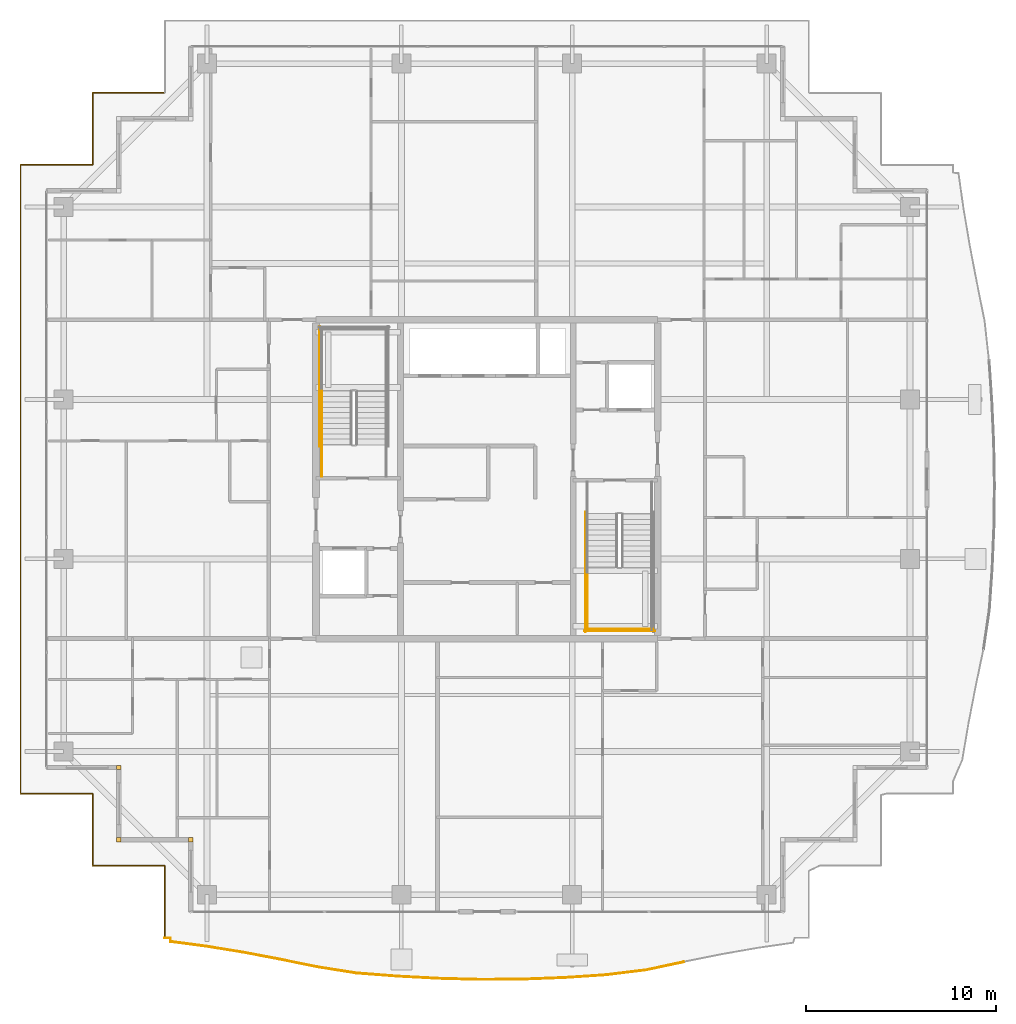
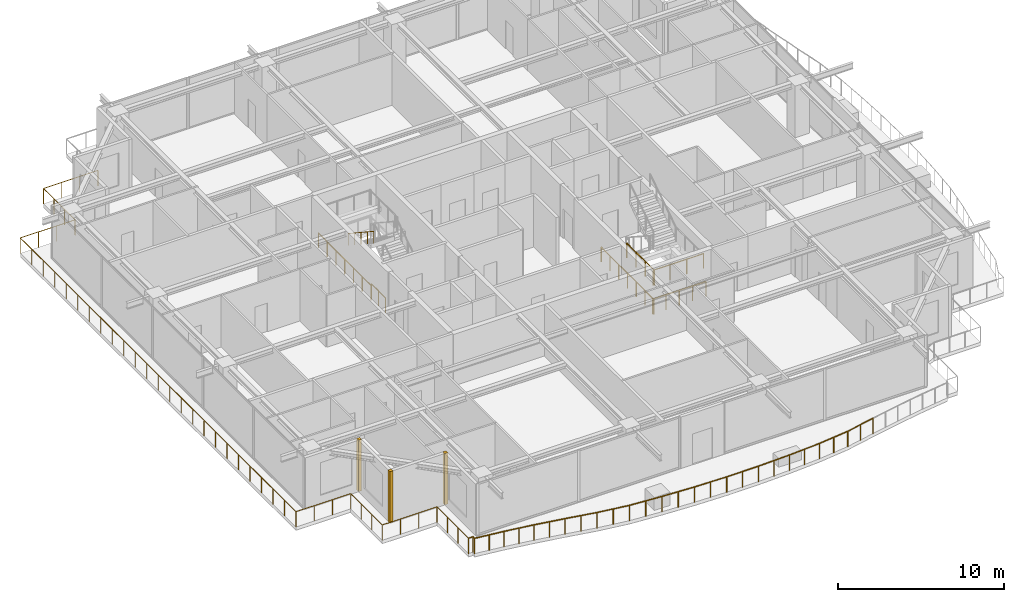
# One storey, part 38 of 42: 10 railings, 3 coverings.
"""IFC4 building model written with IfcOpenShell, lengths in metres."""

from ifc_helpers import new_model, si_unit, direction, frame, origin, origin_2d, place, context, subcontext, project, spatial, rectangle, circle, extrude, source, transform, mapped, material, layer, layer_set, type_object, element, save


model = new_model("IFC4")

# Units and contexts
model_context = context("Model", 3, precision=1e-05, world=origin(), true_north=direction((0.0, 1.0)))
body_context = subcontext(model_context, "Body", "Model", "MODEL_VIEW")
ifc_project = project(units=[si_unit("LENGTHUNIT", "METRE"), si_unit("AREAUNIT", "SQUARE_METRE"), si_unit("VOLUMEUNIT", "CUBIC_METRE"), si_unit("PLANEANGLEUNIT", "RADIAN"), si_unit("MASSUNIT", "GRAM", prefix="KILO")], contexts=[model_context])

# Site, building, storey
site_placement = place(None, origin())
site = spatial("IfcSite", under=ifc_project, at=site_placement, CompositionType="ELEMENT")
building_placement = place(site_placement, origin())
building = spatial("IfcBuilding", under=site, at=building_placement, Name="Serunith Strait Residences", CompositionType="ELEMENT")
storey_placement = place(building_placement, frame((0.0, 0.0, 293.449951171875)))
storey = spatial("IfcBuildingStorey", under=building, at=storey_placement, Name="L73", CompositionType="ELEMENT", Elevation=293.449951171875)

# Railings
ifc_material_1 = material(Name="Stainless Steel & Laminated Glass Balustrade", Category="steel")
railing_type_1 = type_object("IfcRailingType", Name="RLG-BALC-1150", PredefinedType="BALUSTRADE", material=ifc_material_1)
railing_1_placement = place(storey_placement, frame((15.419921875, 1.02001953125, -0.050048828125)))
element("IfcRailing", 1, at=railing_1_placement, inside=storey, type_object=railing_type_1, Name="L73 Swirling Balcony Perimeter Balustrade 1", PredefinedType="BALUSTRADE", context=body_context, shape_type="SweptSolid", body=[
    extrude(circle(Radius=0.02392578125, at=origin_2d()), frame((0.0, 0.001953125, 1.1259765625), z_axis=(0.0, 1.0, 0.0), x_axis=(-1.0, 0.0, 0.0)), (0.0, 0.0, 1.0), 3.796142578125),
    extrude(circle(Radius=0.02392578125, at=origin_2d()), frame((-0.001953125, 3.800048828125, 1.1259765625), z_axis=(-1.0, 0.0, 0.0), x_axis=(0.0, -1.0, 0.0)), (0.0, 0.0, 1.0), 3.7958984375),
    extrude(circle(Radius=0.02392578125, at=origin_2d()), frame((-3.7998046875, 3.802001953125, 1.1259765625), z_axis=(0.0, 1.0, 0.0), x_axis=(-1.0, 0.0, 0.0)), (0.0, 0.0, 1.0), 3.796142578125),
    extrude(circle(Radius=0.02392578125, at=origin_2d()), frame((-3.8017578125, 7.60009765625, 1.1259765625), z_axis=(-1.0, 0.0, 0.0), x_axis=(0.0, -1.0, 0.0)), (0.0, 0.0, 1.0), 3.796142578125),
    extrude(circle(Radius=0.02392578125, at=origin_2d()), frame((-7.599853515625, 7.60205078125, 1.1259765625), z_axis=(0.0, 1.0, 0.0), x_axis=(-1.0, 0.0, 0.0)), (0.0, 0.0, 1.0), 33.156005859375),
    extrude(circle(Radius=0.02392578125, at=origin_2d()), frame((-7.597900390625, 40.760009765625, 1.1259765625), z_axis=(1.0, 0.0, 0.0), x_axis=(0.0, 1.0, 0.0)), (0.0, 0.0, 1.0), 3.796142578125),
    extrude(circle(Radius=0.02392578125, at=origin_2d()), frame((-3.7998046875, 40.761962890625, 1.1259765625), z_axis=(0.0, 1.0, 0.0), x_axis=(-1.0, 0.0, 0.0)), (0.0, 0.0, 1.0), 3.796142578125),
    extrude(circle(Radius=0.02392578125, at=origin_2d()), frame((-3.7978515625, 44.56005859375, 1.1259765625), z_axis=(1.0, 0.0, 0.0), x_axis=(0.0, 1.0, 0.0)), (0.0, 0.0, 1.0), 3.783447265625),
    extrude(circle(Radius=0.02099609375, at=origin_2d()), origin(), (0.0, 0.0, 1.0), 1.099853515625),
    extrude(circle(Radius=0.02099609375, at=origin_2d()), frame((0.0, 1.2666015625, 0.0)), (0.0, 0.0, 1.0), 1.099853515625),
    extrude(circle(Radius=0.02099609375, at=origin_2d()), frame((0.0, 2.533447265625, 0.0)), (0.0, 0.0, 1.0), 1.099853515625),
    extrude(circle(Radius=0.02099609375, at=origin_2d()), frame((0.0, 3.800048828125, 0.0)), (0.0, 0.0, 1.0), 1.099853515625),
    extrude(circle(Radius=0.02099609375, at=origin_2d()), frame((-1.2666015625, 3.800048828125, 0.0)), (0.0, 0.0, 1.0), 1.099853515625),
    extrude(circle(Radius=0.02099609375, at=origin_2d()), frame((-2.533203125, 3.800048828125, 0.0)), (0.0, 0.0, 1.0), 1.099853515625),
    extrude(circle(Radius=0.02099609375, at=origin_2d()), frame((-3.7998046875, 3.800048828125, 0.0)), (0.0, 0.0, 1.0), 1.099853515625),
    extrude(circle(Radius=0.02099609375, at=origin_2d()), frame((-3.7998046875, 5.066650390625, 0.0)), (0.0, 0.0, 1.0), 1.099853515625),
    extrude(circle(Radius=0.02099609375, at=origin_2d()), frame((-3.7998046875, 6.33349609375, 0.0)), (0.0, 0.0, 1.0), 1.099853515625),
    extrude(circle(Radius=0.02099609375, at=origin_2d()), frame((-3.7998046875, 7.60009765625, 0.0)), (0.0, 0.0, 1.0), 1.099853515625),
    extrude(circle(Radius=0.02099609375, at=origin_2d()), frame((-5.06640625, 7.60009765625, 0.0)), (0.0, 0.0, 1.0), 1.099853515625),
    extrude(circle(Radius=0.02099609375, at=origin_2d()), frame((-6.333251953125, 7.60009765625, 0.0)), (0.0, 0.0, 1.0), 1.099853515625),
    extrude(circle(Radius=0.02099609375, at=origin_2d()), frame((-7.599853515625, 7.60009765625, 0.0)), (0.0, 0.0, 1.0), 1.099853515625),
    extrude(circle(Radius=0.02099609375, at=origin_2d()), frame((-7.599853515625, 8.981689453125, 0.0)), (0.0, 0.0, 1.0), 1.099853515625),
    extrude(circle(Radius=0.02099609375, at=origin_2d()), frame((-7.599853515625, 10.363525390625, 0.0)), (0.0, 0.0, 1.0), 1.099853515625),
    extrude(circle(Radius=0.02099609375, at=origin_2d()), frame((-7.599853515625, 11.7451171875, 0.0)), (0.0, 0.0, 1.0), 1.099853515625),
    extrude(circle(Radius=0.02099609375, at=origin_2d()), frame((-7.599853515625, 13.126708984375, 0.0)), (0.0, 0.0, 1.0), 1.099853515625),
    extrude(circle(Radius=0.02099609375, at=origin_2d()), frame((-7.599853515625, 14.50830078125, 0.0)), (0.0, 0.0, 1.0), 1.099853515625),
    extrude(circle(Radius=0.02099609375, at=origin_2d()), frame((-7.599853515625, 15.89013671875, 0.0)), (0.0, 0.0, 1.0), 1.099853515625),
    extrude(circle(Radius=0.02099609375, at=origin_2d()), frame((-7.599853515625, 17.271728515625, 0.0)), (0.0, 0.0, 1.0), 1.099853515625),
    extrude(circle(Radius=0.02099609375, at=origin_2d()), frame((-7.599853515625, 18.6533203125, 0.0)), (0.0, 0.0, 1.0), 1.099853515625),
    extrude(circle(Radius=0.02099609375, at=origin_2d()), frame((-7.599853515625, 20.03515625, 0.0)), (0.0, 0.0, 1.0), 1.099853515625),
    extrude(circle(Radius=0.02099609375, at=origin_2d()), frame((-7.599853515625, 21.416748046875, 0.0)), (0.0, 0.0, 1.0), 1.099853515625),
    extrude(circle(Radius=0.02099609375, at=origin_2d()), frame((-7.599853515625, 22.79833984375, 0.0)), (0.0, 0.0, 1.0), 1.099853515625),
    extrude(circle(Radius=0.02099609375, at=origin_2d()), frame((-7.599853515625, 24.18017578125, 0.0)), (0.0, 0.0, 1.0), 1.099853515625),
    extrude(circle(Radius=0.02099609375, at=origin_2d()), frame((-7.599853515625, 25.561767578125, 0.0)), (0.0, 0.0, 1.0), 1.099853515625),
    extrude(circle(Radius=0.02099609375, at=origin_2d()), frame((-7.599853515625, 26.943359375, 0.0)), (0.0, 0.0, 1.0), 1.099853515625),
    extrude(circle(Radius=0.02099609375, at=origin_2d()), frame((-7.599853515625, 28.324951171875, 0.0)), (0.0, 0.0, 1.0), 1.099853515625),
    extrude(circle(Radius=0.02099609375, at=origin_2d()), frame((-7.599853515625, 29.706787109375, 0.0)), (0.0, 0.0, 1.0), 1.099853515625),
    extrude(circle(Radius=0.02099609375, at=origin_2d()), frame((-7.599853515625, 31.08837890625, 0.0)), (0.0, 0.0, 1.0), 1.099853515625),
    extrude(circle(Radius=0.02099609375, at=origin_2d()), frame((-7.599853515625, 32.469970703125, 0.0)), (0.0, 0.0, 1.0), 1.099853515625),
    extrude(circle(Radius=0.02099609375, at=origin_2d()), frame((-7.599853515625, 33.851806640625, 0.0)), (0.0, 0.0, 1.0), 1.099853515625),
    extrude(circle(Radius=0.02099609375, at=origin_2d()), frame((-7.599853515625, 35.2333984375, 0.0)), (0.0, 0.0, 1.0), 1.099853515625),
    extrude(circle(Radius=0.02099609375, at=origin_2d()), frame((-7.599853515625, 36.614990234375, 0.0)), (0.0, 0.0, 1.0), 1.099853515625),
    extrude(circle(Radius=0.02099609375, at=origin_2d()), frame((-7.599853515625, 37.99658203125, 0.0)), (0.0, 0.0, 1.0), 1.099853515625),
    extrude(circle(Radius=0.02099609375, at=origin_2d()), frame((-7.599853515625, 39.37841796875, 0.0)), (0.0, 0.0, 1.0), 1.099853515625),
    extrude(circle(Radius=0.02099609375, at=origin_2d()), frame((-7.599853515625, 40.760009765625, 0.0)), (0.0, 0.0, 1.0), 1.099853515625),
    extrude(circle(Radius=0.02099609375, at=origin_2d()), frame((-6.333251953125, 40.760009765625, 0.0)), (0.0, 0.0, 1.0), 1.099853515625),
    extrude(circle(Radius=0.02099609375, at=origin_2d()), frame((-5.06640625, 40.760009765625, 0.0)), (0.0, 0.0, 1.0), 1.099853515625),
    extrude(circle(Radius=0.02099609375, at=origin_2d()), frame((-3.7998046875, 40.760009765625, 0.0)), (0.0, 0.0, 1.0), 1.099853515625),
    extrude(circle(Radius=0.02099609375, at=origin_2d()), frame((-3.7998046875, 42.026611328125, 0.0)), (0.0, 0.0, 1.0), 1.099853515625),
    extrude(circle(Radius=0.02099609375, at=origin_2d()), frame((-3.7998046875, 43.29345703125, 0.0)), (0.0, 0.0, 1.0), 1.099853515625),
    extrude(circle(Radius=0.02099609375, at=origin_2d()), frame((-3.7998046875, 44.56005859375, 0.0)), (0.0, 0.0, 1.0), 1.099853515625),
    extrude(circle(Radius=0.02099609375, at=origin_2d()), frame((-2.537353515625, 44.56005859375, 0.0)), (0.0, 0.0, 1.0), 1.099853515625),
    extrude(circle(Radius=0.02099609375, at=origin_2d()), frame((-1.27490234375, 44.56005859375, 0.0)), (0.0, 0.0, 1.0), 1.099853515625),
    extrude(circle(Radius=0.02099609375, at=origin_2d()), frame((-0.012451171875, 44.56005859375, 0.0)), (0.0, 0.0, 1.0), 1.099853515625),
])
railing_2_placement = place(storey_placement, frame((42.795654296875, -0.240478515625, -0.050048828125)))
element("IfcRailing", 2, at=railing_2_placement, inside=storey, type_object=railing_type_1, Name="L73 Swirling Balcony Perimeter Balustrade 7", PredefinedType="BALUSTRADE", context=body_context, shape_type="SweptSolid", body=[
    extrude(circle(Radius=0.02392578125, at=origin_2d()), frame((-0.001953125, -0.00048828125, 1.1259765625), z_axis=(-0.978247338357, -0.207441907524, 0.0), x_axis=(0.207441907524, -0.978247338357, 0.0)), (0.0, 0.0, 1.0), 2.04150390625),
    extrude(circle(Radius=0.02392578125, at=origin_2d()), frame((-2.0029296875, -0.424560546875, 1.1259765625), z_axis=(-0.992519569327, -0.122085644135, 0.0), x_axis=(0.122085644135, -0.992519569327, 0.0)), (0.0, 0.0, 1.0), 2.123779296875),
    extrude(circle(Radius=0.02392578125, at=origin_2d()), frame((-4.11474609375, -0.684326171875, 1.1259765625), z_axis=(-0.997781188469, -0.066578524596, 0.0), x_axis=(0.066578524596, -0.997781188469, 0.0)), (0.0, 0.0, 1.0), 2.174072265625),
    extrude(circle(Radius=0.02392578125, at=origin_2d()), frame((-6.2880859375, -0.8291015625, 1.1259765625), z_axis=(-0.999261011003, -0.038437376213, 0.0), x_axis=(0.038437376213, -0.999261011003, 0.0)), (0.0, 0.0, 1.0), 2.199951171875),
    extrude(circle(Radius=0.02392578125, at=origin_2d()), frame((-8.490478515625, -0.913818359375, 1.1259765625), z_axis=(-0.999976663006, -0.006831796486, 0.0), x_axis=(0.006831796486, -0.999976663006, 0.0)), (0.0, 0.0, 1.0), 2.211669921875),
    extrude(circle(Radius=0.02392578125, at=origin_2d()), frame((-10.7060546875, -0.928955078125, 1.1259765625), z_axis=(-0.99968888601, 0.024942557765, 0.0), x_axis=(-0.024942557765, -0.99968888601, 0.0)), (0.0, 0.0, 1.0), 2.2080078125),
    extrude(circle(Radius=0.02392578125, at=origin_2d()), frame((-12.91748046875, -0.873779296875, 1.1259765625), z_axis=(-0.998566645882, 0.05352246007, 0.0), x_axis=(-0.05352246007, -0.998566645882, 0.0)), (0.0, 0.0, 1.0), 2.18994140625),
    extrude(circle(Radius=0.02099609375, at=origin_2d()), origin(), (0.0, 0.0, 1.0), 1.099853515625),
    extrude(circle(Radius=0.02099609375, at=origin_2d()), frame((-1.00048828125, -0.212158203125, 0.0)), (0.0, 0.0, 1.0), 1.099853515625),
    extrude(circle(Radius=0.02099609375, at=origin_2d()), frame((-2.0009765625, -0.42431640625, 0.0)), (0.0, 0.0, 1.0), 1.099853515625),
    extrude(circle(Radius=0.02099609375, at=origin_2d()), frame((-3.056884765625, -0.55419921875, 0.0)), (0.0, 0.0, 1.0), 1.099853515625),
    extrude(circle(Radius=0.02099609375, at=origin_2d()), frame((-4.11279296875, -0.68408203125, 0.0)), (0.0, 0.0, 1.0), 1.099853515625),
    extrude(circle(Radius=0.02099609375, at=origin_2d()), frame((-5.199462890625, -0.756591796875, 0.0)), (0.0, 0.0, 1.0), 1.099853515625),
    extrude(circle(Radius=0.02099609375, at=origin_2d()), frame((-6.2861328125, -0.8291015625, 0.0)), (0.0, 0.0, 1.0), 1.099853515625),
    extrude(circle(Radius=0.02099609375, at=origin_2d()), frame((-7.38720703125, -0.87158203125, 0.0)), (0.0, 0.0, 1.0), 1.099853515625),
    extrude(circle(Radius=0.02099609375, at=origin_2d()), frame((-8.488525390625, -0.913818359375, 0.0)), (0.0, 0.0, 1.0), 1.099853515625),
    extrude(circle(Radius=0.02099609375, at=origin_2d()), frame((-9.59619140625, -0.92138671875, 0.0)), (0.0, 0.0, 1.0), 1.099853515625),
    extrude(circle(Radius=0.02099609375, at=origin_2d()), frame((-10.7041015625, -0.928955078125, 0.0)), (0.0, 0.0, 1.0), 1.099853515625),
    extrude(circle(Radius=0.02099609375, at=origin_2d()), frame((-11.809814453125, -0.9013671875, 0.0)), (0.0, 0.0, 1.0), 1.099853515625),
    extrude(circle(Radius=0.02099609375, at=origin_2d()), frame((-12.91552734375, -0.873779296875, 0.0)), (0.0, 0.0, 1.0), 1.099853515625),
    extrude(circle(Radius=0.02099609375, at=origin_2d()), frame((-14.010986328125, -0.81494140625, 0.0)), (0.0, 0.0, 1.0), 1.099853515625),
    extrude(circle(Radius=0.02099609375, at=origin_2d()), frame((-15.1064453125, -0.75634765625, 0.0)), (0.0, 0.0, 1.0), 1.099853515625),
])
railing_3_placement = place(storey_placement, frame((27.689208984375, -0.996826171875, -0.050048828125)))
element("IfcRailing", 3, at=railing_3_placement, inside=storey, type_object=railing_type_1, Name="L73 Swirling Balcony Perimeter Balustrade 8", PredefinedType="BALUSTRADE", context=body_context, shape_type="SweptSolid", body=[
    extrude(circle(Radius=0.02392578125, at=origin_2d()), frame((-0.001953125, 0.000244140625, 1.1259765625), z_axis=(-0.997081619449, 0.076342937838, 0.0), x_axis=(-0.076342937838, -0.997081619449, 0.0)), (0.0, 0.0, 1.0), 2.160888671875),
    extrude(circle(Radius=0.02392578125, at=origin_2d()), frame((-2.16064453125, 0.16552734375, 1.1259765625), z_axis=(-0.987866426767, 0.155305900937, 0.0), x_axis=(-0.155305900937, -0.987866426767, 0.0)), (0.0, 0.0, 1.0), 2.09619140625),
    extrude(circle(Radius=0.02392578125, at=origin_2d()), frame((-4.2353515625, 0.491943359375, 1.1259765625), z_axis=(-0.979495523482, 0.201465926345, 0.0), x_axis=(-0.201465926345, -0.979495523482, 0.0)), (0.0, 0.0, 1.0), 2.022216796875),
    extrude(circle(Radius=0.02392578125, at=origin_2d()), frame((-6.219970703125, 0.900146484375, 1.1259765625), z_axis=(-0.982552514499, 0.185985365693, 0.0), x_axis=(-0.185985365693, -0.982552514499, 0.0)), (0.0, 0.0, 1.0), 1.9677734375),
    extrude(circle(Radius=0.02392578125, at=origin_2d()), frame((-8.1572265625, 1.2666015625, 1.1259765625), z_axis=(-0.987074202821, 0.160263901506, 0.0), x_axis=(-0.160263901506, -0.987074202821, 0.0)), (0.0, 0.0, 1.0), 1.9306640625),
    extrude(circle(Radius=0.02392578125, at=origin_2d()), frame((-10.06689453125, 1.57666015625, 1.1259765625), z_axis=(-0.991317889933, 0.131487037762, 0.0), x_axis=(-0.131487037762, -0.991317889933, 0.0)), (0.0, 0.0, 1.0), 1.910400390625),
    extrude(circle(Radius=0.02392578125, at=origin_2d()), frame((-11.962646484375, 1.830078125, 1.1259765625), z_axis=(0.007761732553, 0.9999698773, 0.0), x_axis=(-0.9999698773, 0.007761732553, 0.0)), (0.0, 0.0, 1.0), 0.184814453125),
    extrude(circle(Radius=0.02392578125, at=origin_2d()), frame((-11.963134765625, 2.016845703125, 1.1259765625), z_axis=(-1.0, 0.0, 0.0), x_axis=(0.0, -1.0, 0.0)), (0.0, 0.0, 1.0), 0.30419921875),
    extrude(circle(Radius=0.02099609375, at=origin_2d()), origin(), (0.0, 0.0, 1.0), 1.099853515625),
    extrude(circle(Radius=0.02099609375, at=origin_2d()), frame((-1.079345703125, 0.08251953125, 0.0)), (0.0, 0.0, 1.0), 1.099853515625),
    extrude(circle(Radius=0.02099609375, at=origin_2d()), frame((-2.15869140625, 0.165283203125, 0.0)), (0.0, 0.0, 1.0), 1.099853515625),
    extrude(circle(Radius=0.02099609375, at=origin_2d()), frame((-3.196044921875, 0.328369140625, 0.0)), (0.0, 0.0, 1.0), 1.099853515625),
    extrude(circle(Radius=0.02099609375, at=origin_2d()), frame((-4.2333984375, 0.491455078125, 0.0)), (0.0, 0.0, 1.0), 1.099853515625),
    extrude(circle(Radius=0.02099609375, at=origin_2d()), frame((-5.2255859375, 0.695556640625, 0.0)), (0.0, 0.0, 1.0), 1.099853515625),
    extrude(circle(Radius=0.02099609375, at=origin_2d()), frame((-6.218017578125, 0.899658203125, 0.0)), (0.0, 0.0, 1.0), 1.099853515625),
    extrude(circle(Radius=0.02099609375, at=origin_2d()), frame((-7.1865234375, 1.0830078125, 0.0)), (0.0, 0.0, 1.0), 1.099853515625),
    extrude(circle(Radius=0.02099609375, at=origin_2d()), frame((-8.1552734375, 1.266357421875, 0.0)), (0.0, 0.0, 1.0), 1.099853515625),
    extrude(circle(Radius=0.02099609375, at=origin_2d()), frame((-9.110107421875, 1.42138671875, 0.0)), (0.0, 0.0, 1.0), 1.099853515625),
    extrude(circle(Radius=0.02099609375, at=origin_2d()), frame((-10.06494140625, 1.576416015625, 0.0)), (0.0, 0.0, 1.0), 1.099853515625),
    extrude(circle(Radius=0.02099609375, at=origin_2d()), frame((-11.013671875, 1.7021484375, 0.0)), (0.0, 0.0, 1.0), 1.099853515625),
    extrude(circle(Radius=0.02099609375, at=origin_2d()), frame((-11.962646484375, 1.828125, 0.0)), (0.0, 0.0, 1.0), 1.099853515625),
    extrude(circle(Radius=0.02099609375, at=origin_2d()), frame((-11.961181640625, 2.016845703125, 0.0)), (0.0, 0.0, 1.0), 1.099853515625),
    extrude(circle(Radius=0.02099609375, at=origin_2d()), frame((-12.269287109375, 2.016845703125, 0.0)), (0.0, 0.0, 1.0), 1.099853515625),
])
ifc_material_2 = material(Name="Brushed stainless steel 316L", Category="steel")
railing_type_2 = type_object("IfcRailingType", Name="RLG-STAIR-GUARD", PredefinedType="BALUSTRADE", material=ifc_material_2)
railing_4_placement = place(storey_placement, frame((23.699951171875, 25.35009765625, 0.0)))
element("IfcRailing", 4, at=railing_4_placement, inside=storey, type_object=railing_type_2, Name="L73 ST-1 stair guard 9", PredefinedType="BALUSTRADE", context=body_context, shape_type="SweptSolid", body=[
    extrude(circle(Radius=0.02392578125, at=origin_2d()), frame((0.0, 0.001953125, 1.076171875), z_axis=(0.0, 1.0, 0.0), x_axis=(-1.0, 0.0, 0.0)), (0.0, 0.0, 1.0), 1.676025390625),
    extrude(circle(Radius=0.02099609375, at=origin_2d()), origin(), (0.0, 0.0, 1.0), 1.050048828125),
    extrude(circle(Radius=0.02099609375, at=origin_2d()), frame((0.0, 0.83984375, 0.0)), (0.0, 0.0, 1.0), 1.050048828125),
    extrude(circle(Radius=0.02099609375, at=origin_2d()), frame((0.0, 1.679931640625, 0.0)), (0.0, 0.0, 1.0), 1.050048828125),
])
railing_5_placement = place(storey_placement, frame((23.60009765625, 26.929931640625, 0.0)))
element("IfcRailing", 5, at=railing_5_placement, inside=storey, type_object=railing_type_2, Name="L73 ST-1 stair guard 11", PredefinedType="BALUSTRADE", context=body_context, shape_type="SweptSolid", body=[
    extrude(circle(Radius=0.02392578125, at=origin_2d()), frame((0.0, 0.001953125, 1.076171875), z_axis=(0.0, 1.0, 0.0), x_axis=(-1.0, 0.0, 0.0)), (0.0, 0.0, 1.0), 6.316162109375),
    extrude(circle(Radius=0.02099609375, at=origin_2d()), origin(), (0.0, 0.0, 1.0), 1.050048828125),
    extrude(circle(Radius=0.02099609375, at=origin_2d()), frame((0.0, 1.05322265625, 0.0)), (0.0, 0.0, 1.0), 1.050048828125),
    extrude(circle(Radius=0.02099609375, at=origin_2d()), frame((0.0, 2.106689453125, 0.0)), (0.0, 0.0, 1.0), 1.050048828125),
    extrude(circle(Radius=0.02099609375, at=origin_2d()), frame((0.0, 3.16015625, 0.0)), (0.0, 0.0, 1.0), 1.050048828125),
    extrude(circle(Radius=0.02099609375, at=origin_2d()), frame((0.0, 4.21337890625, 0.0)), (0.0, 0.0, 1.0), 1.050048828125),
    extrude(circle(Radius=0.02099609375, at=origin_2d()), frame((0.0, 5.2666015625, 0.0)), (0.0, 0.0, 1.0), 1.050048828125),
    extrude(circle(Radius=0.02099609375, at=origin_2d()), frame((0.0, 6.320068359375, 0.0)), (0.0, 0.0, 1.0), 1.050048828125),
])
railing_6_placement = place(storey_placement, frame((37.699951171875, 20.570068359375, 2.025146484375)))
element("IfcRailing", 6, at=railing_6_placement, inside=storey, type_object=railing_type_2, Name="L73 ST-2 stair guard 3", PredefinedType="BALUSTRADE", context=body_context, shape_type="SweptSolid", body=[
    extrude(circle(Radius=0.02392578125, at=origin_2d()), frame((0.0, -0.001953125, 1.076171875), z_axis=(0.0, -1.0, 0.0), x_axis=(1.0, 0.0, 0.0)), (0.0, 0.0, 1.0), 3.316162109375),
    extrude(circle(Radius=0.02099609375, at=origin_2d()), origin(), (0.0, 0.0, 1.0), 1.050048828125),
    extrude(circle(Radius=0.02099609375, at=origin_2d()), frame((0.0, -1.106689453125, 0.0)), (0.0, 0.0, 1.0), 1.050048828125),
    extrude(circle(Radius=0.02099609375, at=origin_2d()), frame((0.0, -2.21337890625, 0.0)), (0.0, 0.0, 1.0), 1.050048828125),
    extrude(circle(Radius=0.02099609375, at=origin_2d()), frame((0.0, -3.320068359375, 0.0)), (0.0, 0.0, 1.0), 1.050048828125),
])
railing_7_placement = place(storey_placement, frame((37.64990234375, 17.300048828125, 2.025146484375)))
element("IfcRailing", 7, at=railing_7_placement, inside=storey, type_object=railing_type_2, Name="L73 ST-2 stair guard 5", PredefinedType="BALUSTRADE", context=body_context, shape_type="SweptSolid", body=[
    extrude(circle(Radius=0.02392578125, at=origin_2d()), frame((0.001953125, 0.0, 1.076171875), z_axis=(1.0, 0.0, 0.0), x_axis=(0.0, 1.0, 0.0)), (0.0, 0.0, 1.0), 3.49609375),
    extrude(circle(Radius=0.02099609375, at=origin_2d()), origin(), (0.0, 0.0, 1.0), 1.050048828125),
    extrude(circle(Radius=0.02099609375, at=origin_2d()), frame((1.166748046875, 0.0, 0.0)), (0.0, 0.0, 1.0), 1.050048828125),
    extrude(circle(Radius=0.02099609375, at=origin_2d()), frame((2.333251953125, 0.0, 0.0)), (0.0, 0.0, 1.0), 1.050048828125),
    extrude(circle(Radius=0.02099609375, at=origin_2d()), frame((3.5, 0.0, 0.0)), (0.0, 0.0, 1.0), 1.050048828125),
])
railing_8_placement = place(storey_placement, frame((37.60009765625, 23.469970703125, 0.0)))
element("IfcRailing", 8, at=railing_8_placement, inside=storey, type_object=railing_type_2, Name="L73 ST-2 stair guard 10", PredefinedType="BALUSTRADE", context=body_context, shape_type="SweptSolid", body=[
    extrude(circle(Radius=0.02392578125, at=origin_2d()), frame((0.0, -0.001953125, 1.076171875), z_axis=(0.0, -1.0, 0.0), x_axis=(1.0, 0.0, 0.0)), (0.0, 0.0, 1.0), 6.316162109375),
    extrude(circle(Radius=0.02099609375, at=origin_2d()), origin(), (0.0, 0.0, 1.0), 1.050048828125),
    extrude(circle(Radius=0.02099609375, at=origin_2d()), frame((0.0, -1.05322265625, 0.0)), (0.0, 0.0, 1.0), 1.050048828125),
    extrude(circle(Radius=0.02099609375, at=origin_2d()), frame((0.0, -2.106689453125, 0.0)), (0.0, 0.0, 1.0), 1.050048828125),
    extrude(circle(Radius=0.02099609375, at=origin_2d()), frame((0.0, -3.16015625, 0.0)), (0.0, 0.0, 1.0), 1.050048828125),
    extrude(circle(Radius=0.02099609375, at=origin_2d()), frame((0.0, -4.21337890625, 0.0)), (0.0, 0.0, 1.0), 1.050048828125),
    extrude(circle(Radius=0.02099609375, at=origin_2d()), frame((0.0, -5.2666015625, 0.0)), (0.0, 0.0, 1.0), 1.050048828125),
    extrude(circle(Radius=0.02099609375, at=origin_2d()), frame((0.0, -6.320068359375, 0.0)), (0.0, 0.0, 1.0), 1.050048828125),
])
railing_9_placement = place(storey_placement, frame((37.550048828125, 17.199951171875, 0.0)))
element("IfcRailing", 9, at=railing_9_placement, inside=storey, type_object=railing_type_2, Name="L73 ST-2 stair guard 12", PredefinedType="BALUSTRADE", context=body_context, shape_type="SweptSolid", body=[
    extrude(circle(Radius=0.02392578125, at=origin_2d()), frame((0.001953125, 0.0, 1.076171875), z_axis=(1.0, 0.0, 0.0), x_axis=(0.0, 1.0, 0.0)), (0.0, 0.0, 1.0), 3.696044921875),
    extrude(circle(Radius=0.02099609375, at=origin_2d()), origin(), (0.0, 0.0, 1.0), 1.050048828125),
    extrude(circle(Radius=0.02099609375, at=origin_2d()), frame((0.925048828125, 0.0, 0.0)), (0.0, 0.0, 1.0), 1.050048828125),
    extrude(circle(Radius=0.02099609375, at=origin_2d()), frame((1.85009765625, 0.0, 0.0)), (0.0, 0.0, 1.0), 1.050048828125),
    extrude(circle(Radius=0.02099609375, at=origin_2d()), frame((2.77490234375, 0.0, 0.0)), (0.0, 0.0, 1.0), 1.050048828125),
    extrude(circle(Radius=0.02099609375, at=origin_2d()), frame((3.699951171875, 0.0, 0.0)), (0.0, 0.0, 1.0), 1.050048828125),
])
railing_type_3 = type_object("IfcRailingType", Name="RLG-STAIR-HR", PredefinedType="HANDRAIL", material=ifc_material_2)
railing_10_placement = place(storey_placement, frame((23.699951171875, 29.830078125, 2.209228515625)))
element("IfcRailing", 10, at=railing_10_placement, inside=storey, type_object=railing_type_3, Name="L73 ST-1 stair handrail 2", PredefinedType="HANDRAIL", context=body_context, shape_type="SweptSolid", body=[
    extrude(circle(Radius=0.02392578125, at=origin_2d()), frame((0.0, -0.001708984375, 0.876953125), z_axis=(0.0, -0.83496096917, 0.550309167616), x_axis=(1.0, 0.0, 0.0)), (0.0, 0.0, 1.0), 3.684814453125),
    extrude(circle(Radius=0.02099609375, at=origin_2d()), origin(), (0.0, 0.0, 1.0), 0.849853515625),
    extrude(circle(Radius=0.02099609375, at=origin_2d()), frame((0.0, -0.77001953125, 0.507568359375)), (0.0, 0.0, 1.0), 0.849853515625),
    extrude(circle(Radius=0.02099609375, at=origin_2d()), frame((0.0, -1.5400390625, 1.01513671875)), (0.0, 0.0, 1.0), 0.849853515625),
    extrude(circle(Radius=0.02099609375, at=origin_2d()), frame((0.0, -2.31005859375, 1.5224609375)), (0.0, 0.0, 1.0), 0.849853515625),
    extrude(circle(Radius=0.02099609375, at=origin_2d()), frame((0.0, -3.080078125, 2.030029296875)), (0.0, 0.0, 1.0), 0.849853515625),
])

# Coverings
ifc_material_3 = material(Name="Pale-Champagne Anodised Aluminium", Category="aluminium")
ifc_layer = layer(ifc_material_3, 0.219970703125, Name="Pale-Champagne Anodised Aluminium")
ifc_layer_set = layer_set([ifc_layer], Name="Pale-Champagne Anodised Aluminium")
covering_type = type_object("IfcCoveringType", Name="COV-CORN-TRIM", PredefinedType="CLADDING", material=ifc_layer_set)
shared_shape = source(origin(), body_context, "Body", "SweptSolid", [
    extrude(rectangle(XDim=0.221923828125, YDim=0.221923828125, at=origin_2d()), origin(), (0.0, 0.0, 1.0), 3.77490234375),
])
for number, where, z_axis, x_axis, name in (
    (11, (13.0, 10.0, 0.0), (0.0, 0.0, 1.0), (1.0, 0.0, 0.0), "L73 Girih Serrated Corner Trim Post 17"),
    (12, (13.0, 6.199951171875, 0.0), (0.0, 0.0, 1.0), (1.0, 0.0, 0.0), "L73 Girih Serrated Corner Trim Post 18"),
    (13, (16.800048828125, 6.199951171875, 0.0), (0.0, 0.0, 1.0), (1.0, 0.0, 0.0), "L73 Girih Serrated Corner Trim Post 19"),
):
    element("IfcCovering", number, at=place(storey_placement, frame(where, z_axis=z_axis, x_axis=x_axis)), inside=storey, type_object=covering_type, Name=name, PredefinedType="CLADDING", context=body_context, shape_type="MappedRepresentation", body=[
        mapped(shared_shape, transform((0.0, 0.0, 0.0), scale=1.0)),
    ])

save(model, "model.ifc")
